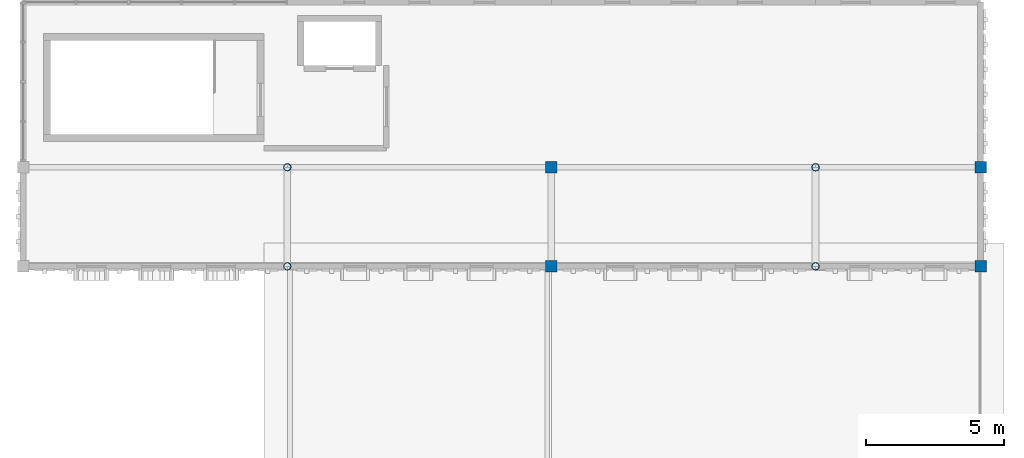
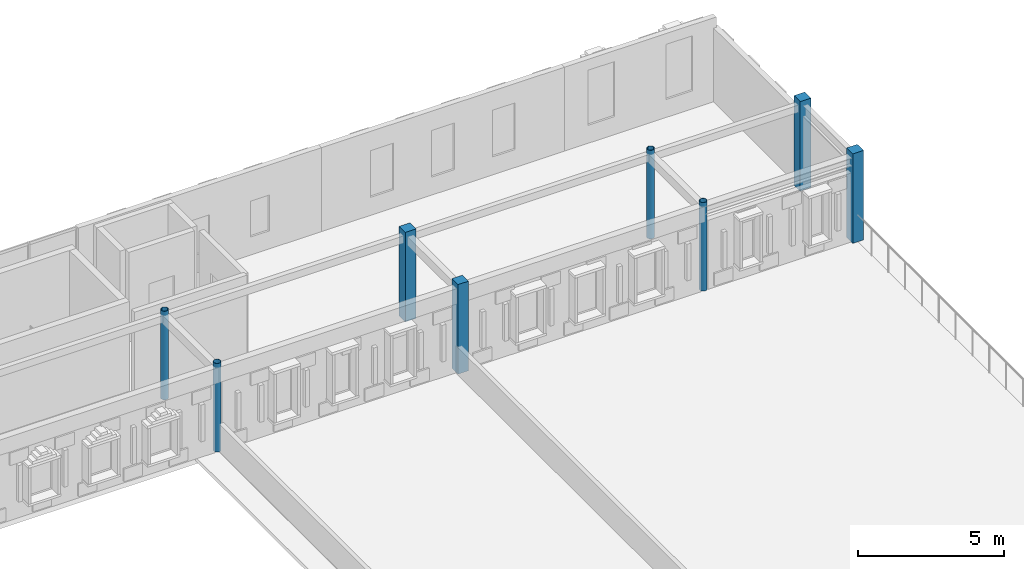
# One storey, part 4 of 25: 8 columns.
"""IFC4 building model written with IfcOpenShell, lengths in metres."""

from ifc_helpers import new_model, si_unit, direction, frame, origin, origin_2d, place, context, subcontext, project, spatial, rectangle, hollow_circle, extrude, material, material_profile, profile_set, type_object, element, save


model = new_model("IFC4")

# Units and contexts
model_context = context("Model", 3, precision=1e-05, world=origin(), true_north=direction((0.0, 1.0)))
body_context = subcontext(model_context, "Body", "Model", "MODEL_VIEW")
ifc_project = project(units=[si_unit("LENGTHUNIT", "METRE"), si_unit("AREAUNIT", "SQUARE_METRE"), si_unit("VOLUMEUNIT", "CUBIC_METRE"), si_unit("PLANEANGLEUNIT", "RADIAN"), si_unit("MASSUNIT", "GRAM", prefix="KILO")], contexts=[model_context])

# Site, building, storey
site_placement = place(None, origin())
site = spatial("IfcSite", under=ifc_project, at=site_placement, CompositionType="ELEMENT")
building_placement = place(site_placement, origin())
building = spatial("IfcBuilding", under=site, at=building_placement, Name="Nzembalo Square Collegiate School", CompositionType="ELEMENT")
storey_placement = place(building_placement, frame((0.0, 0.0, 21.080078125)))
storey = spatial("IfcBuildingStorey", under=building, at=storey_placement, Name="L05", CompositionType="ELEMENT", Elevation=21.080078125)

# Columns
ifc_material_1 = material(Name="Glulam GL28h", Category="wood")
ifc_material_profile_1 = material_profile(ifc_material_1, rectangle(XDim=0.419921875, YDim=0.419921875, at=origin_2d()), Name="GL28h 420x420")
ifc_profile_set_1 = profile_set([ifc_material_profile_1], Name="Glulam GL28h")
column_type_1 = type_object("IfcColumnType", Name="C06", PredefinedType="COLUMN", material=ifc_profile_set_1)
for number, where, z_axis, x_axis, name in (
    (1, (150.0, 79.199951171875, 0.0), (0.0, 0.0, 1.0), (1.0, 0.0, 0.0), "Column C06 L05 22/L"),
    (2, (150.0, 82.800048828125, 0.0), (0.0, 0.0, 1.0), (1.0, 0.0, 0.0), "Column C06 L05 22/M"),
    (3, (165.60009765625, 79.199951171875, 0.0), (0.0, 0.0, 1.0), (1.0, 0.0, 0.0), "Column C06 L05 24/L"),
    (4, (165.60009765625, 82.800048828125, 0.0), (0.0, 0.0, 1.0), (1.0, 0.0, 0.0), "Column C06 L05 24/M"),
):
    element("IfcColumn", number, at=place(storey_placement, frame(where, z_axis=z_axis, x_axis=x_axis)), inside=storey, type_object=column_type_1, Name=name, PredefinedType="COLUMN", context=body_context, shape_type="SweptSolid", body=[
        extrude(rectangle(XDim=0.419921875, YDim=0.419921875, at=origin_2d()), origin(), (0.0, 0.0, 1.0), 3.739990234375),
    ])
ifc_material_2 = material(Name="Steel S355", Category="steel")
ifc_material_profile_2 = material_profile(ifc_material_2, hollow_circle(Radius=0.136474609375, WallThickness=0.011962890625, at=origin_2d()), Name="CHS 273x12")
ifc_profile_set_2 = profile_set([ifc_material_profile_2], Name="Steel S355")
column_type_2 = type_object("IfcColumnType", Name="C09", PredefinedType="COLUMN", material=ifc_profile_set_2)
for number, where, z_axis, x_axis, name in (
    (5, (140.39990234375, 79.199951171875, 0.0), (0.0, 0.0, 1.0), (1.0, 0.0, 0.0), "Column C09 L05 21/L"),
    (6, (140.39990234375, 82.800048828125, 0.0), (0.0, 0.0, 1.0), (1.0, 0.0, 0.0), "Column C09 L05 21/M"),
    (7, (159.60009765625, 79.199951171875, 0.0), (0.0, 0.0, 1.0), (1.0, 0.0, 0.0), "Column C09 L05 23/L"),
    (8, (159.60009765625, 82.800048828125, 0.0), (0.0, 0.0, 1.0), (1.0, 0.0, 0.0), "Column C09 L05 23/M"),
):
    element("IfcColumn", number, at=place(storey_placement, frame(where, z_axis=z_axis, x_axis=x_axis)), inside=storey, type_object=column_type_2, Name=name, PredefinedType="COLUMN", context=body_context, shape_type="SweptSolid", body=[
        extrude(hollow_circle(Radius=0.136474609375, WallThickness=0.011962890625, at=origin_2d()), origin(), (0.0, 0.0, 1.0), 3.699951171875),
    ])

save(model, "model.ifc")
